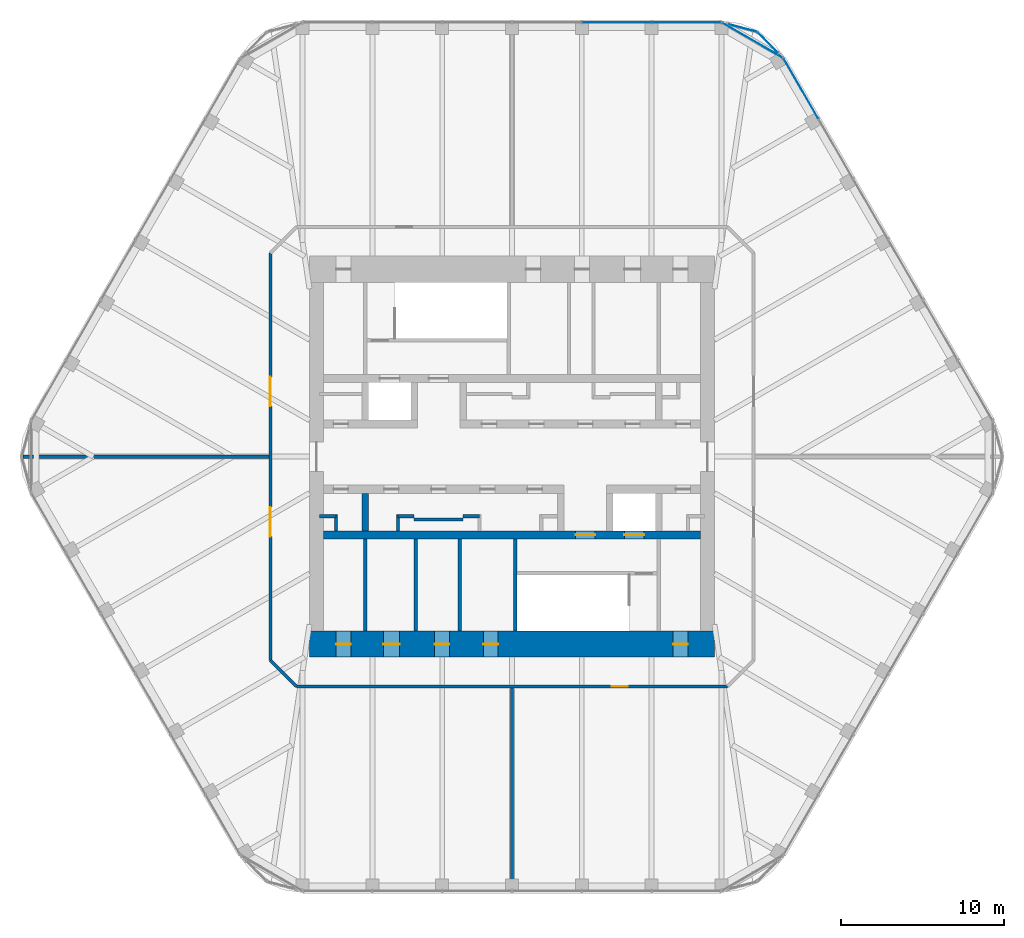
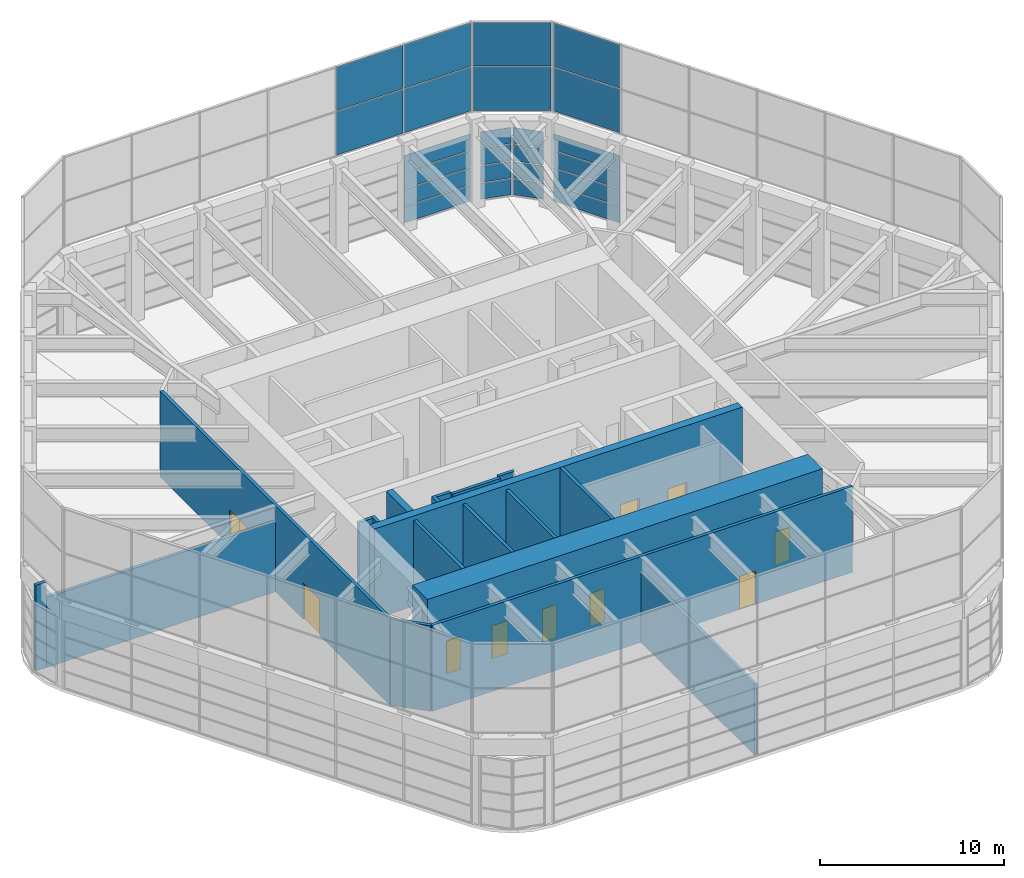
# One storey, part 14 of 17: 24 plates, 19 walls, 10 doors, 10 openings, 7 elements without a shape of their own.
"""IFC4 building model written with IfcOpenShell, lengths in metres."""

from ifc_helpers import new_model, si_unit, direction, frame, frame_2d, origin, origin_2d, place, context, subcontext, project, spatial, rectangle, extrude, material, layer, layer_set, type_object, element, fill, aggregate, save


model = new_model("IFC4")

# Units and contexts
model_context = context("Model", 3, precision=1e-05, world=origin(), true_north=direction((0.0, 1.0)))
body_context = subcontext(model_context, "Body", "Model", "MODEL_VIEW")
ifc_project = project(units=[si_unit("LENGTHUNIT", "METRE"), si_unit("AREAUNIT", "SQUARE_METRE"), si_unit("VOLUMEUNIT", "CUBIC_METRE"), si_unit("PLANEANGLEUNIT", "RADIAN"), si_unit("MASSUNIT", "GRAM", prefix="KILO")], contexts=[model_context])

# Site, building, storey
site_placement = place(None, origin())
site = spatial("IfcSite", under=ifc_project, at=site_placement, CompositionType="ELEMENT")
building_placement = place(site_placement, origin())
building = spatial("IfcBuilding", under=site, at=building_placement, Name="Tarfa Lantern Tower", CompositionType="ELEMENT")
storey_placement = place(building_placement, frame((0.0, 0.0, 402.300048828125)))
storey = spatial("IfcBuildingStorey", under=building, at=storey_placement, Name="L91", CompositionType="ELEMENT", Elevation=402.300048828125)

# Curtain wall, plates
ifc_material_1 = material(Name="Aluminium framed curtain wall", Category="aluminium")
curtain_wall_type_1 = type_object("IfcCurtainWallType", Name="CW8 LANTERN GLAZING 4600", PredefinedType="USERDEFINED", material=ifc_material_1)
curtain_wall_1_placement = place(storey_placement, origin())
curtain_wall_1 = element("IfcCurtainWall", 1, at=curtain_wall_1_placement, inside=storey, type_object=curtain_wall_type_1, Name="CW8 NEN1 L91", ObjectType="CURTAIN WALL", PredefinedType="USERDEFINED")
ifc_material_2 = material(Name="Laminated double glazing", Category="glass")
ifc_layer_1 = layer(ifc_material_2, 0.028076171875)
ifc_layer_set_1 = layer_set([ifc_layer_1], Name="CWP1 DOUBLE GLAZED PANEL")
plate_type = type_object("IfcPlateType", Name="CWP1 DOUBLE GLAZED PANEL", PredefinedType="CURTAIN_PANEL", material=ifc_layer_set_1)
plate_1_placement = place(storey_placement, frame((15.6953125, 25.4111328125, 0.06494140625), z_axis=(0.0, 0.0, 1.0), x_axis=(-0.707106781187, 0.707106781187, 0.0)))
plate_1 = element("IfcPlate", 2, at=plate_1_placement, type_object=plate_type, Name="CW8 panel 1.1", PredefinedType="CURTAIN_PANEL", context=body_context, shape_type="SweptSolid", body=[
    extrude(rectangle(XDim=1.706787109375, YDim=0.028076171875, at=origin_2d()), origin(), (0.0, 0.0, 1.0), 1.052490234375),
])
plate_2_placement = place(storey_placement, frame((15.6953125, 25.4111328125, 1.182373046875), z_axis=(0.0, 0.0, 1.0), x_axis=(-0.707106781187, 0.707106781187, 0.0)))
plate_2 = element("IfcPlate", 3, at=plate_2_placement, type_object=plate_type, Name="CW8 panel 1.2", PredefinedType="CURTAIN_PANEL", context=body_context, shape_type="SweptSolid", body=[
    extrude(rectangle(XDim=1.706787109375, YDim=0.028076171875, at=origin_2d()), origin(), (0.0, 0.0, 1.0), 1.0849609375),
])
plate_3_placement = place(storey_placement, frame((15.6953125, 25.4111328125, 2.33251953125), z_axis=(0.0, 0.0, 1.0), x_axis=(-0.707106781187, 0.707106781187, 0.0)))
plate_3 = element("IfcPlate", 4, at=plate_3_placement, type_object=plate_type, Name="CW8 panel 1.3", PredefinedType="CURTAIN_PANEL", context=body_context, shape_type="SweptSolid", body=[
    extrude(rectangle(XDim=1.706787109375, YDim=0.028076171875, at=origin_2d()), origin(), (0.0, 0.0, 1.0), 1.0849609375),
])
plate_4_placement = place(storey_placement, frame((15.6953125, 25.4111328125, 3.482421875), z_axis=(0.0, 0.0, 1.0), x_axis=(-0.707106781187, 0.707106781187, 0.0)))
plate_4 = element("IfcPlate", 5, at=plate_4_placement, type_object=plate_type, Name="CW8 panel 1.4", PredefinedType="CURTAIN_PANEL", context=body_context, shape_type="SweptSolid", body=[
    extrude(rectangle(XDim=1.706787109375, YDim=0.028076171875, at=origin_2d()), origin(), (0.0, 0.0, 1.0), 1.052490234375),
])
aggregate(curtain_wall_1, [plate_1, plate_2, plate_3, plate_4])

curtain_wall_2_placement = place(storey_placement, origin())
curtain_wall_2 = element("IfcCurtainWall", 6, at=curtain_wall_2_placement, inside=storey, type_object=curtain_wall_type_1, Name="CW8 NEN2 L91", ObjectType="CURTAIN WALL", PredefinedType="USERDEFINED")
plate_5_placement = place(storey_placement, frame((14.158935546875, 26.298095703125, 0.06494140625), z_axis=(0.0, 0.0, 1.0), x_axis=(-0.965925850804, 0.258818953611, 0.0)))
plate_5 = element("IfcPlate", 7, at=plate_5_placement, type_object=plate_type, Name="CW8 panel 1.1", PredefinedType="CURTAIN_PANEL", context=body_context, shape_type="SweptSolid", body=[
    extrude(rectangle(XDim=1.706787109375, YDim=0.028076171875, at=origin_2d()), origin(), (0.0, 0.0, 1.0), 1.052490234375),
])
plate_6_placement = place(storey_placement, frame((14.158935546875, 26.298095703125, 1.182373046875), z_axis=(0.0, 0.0, 1.0), x_axis=(-0.965925850804, 0.258818953611, 0.0)))
plate_6 = element("IfcPlate", 8, at=plate_6_placement, type_object=plate_type, Name="CW8 panel 1.2", PredefinedType="CURTAIN_PANEL", context=body_context, shape_type="SweptSolid", body=[
    extrude(rectangle(XDim=1.706787109375, YDim=0.028076171875, at=origin_2d()), origin(), (0.0, 0.0, 1.0), 1.0849609375),
])
plate_7_placement = place(storey_placement, frame((14.158935546875, 26.298095703125, 2.33251953125), z_axis=(0.0, 0.0, 1.0), x_axis=(-0.965925850804, 0.258818953611, 0.0)))
plate_7 = element("IfcPlate", 9, at=plate_7_placement, type_object=plate_type, Name="CW8 panel 1.3", PredefinedType="CURTAIN_PANEL", context=body_context, shape_type="SweptSolid", body=[
    extrude(rectangle(XDim=1.706787109375, YDim=0.028076171875, at=origin_2d()), origin(), (0.0, 0.0, 1.0), 1.0849609375),
])
plate_8_placement = place(storey_placement, frame((14.158935546875, 26.298095703125, 3.482421875), z_axis=(0.0, 0.0, 1.0), x_axis=(-0.965925850804, 0.258818953611, 0.0)))
plate_8 = element("IfcPlate", 10, at=plate_8_placement, type_object=plate_type, Name="CW8 panel 1.4", PredefinedType="CURTAIN_PANEL", context=body_context, shape_type="SweptSolid", body=[
    extrude(rectangle(XDim=1.706787109375, YDim=0.028076171875, at=origin_2d()), origin(), (0.0, 0.0, 1.0), 1.052490234375),
])
aggregate(curtain_wall_2, [plate_5, plate_6, plate_7, plate_8])

curtain_wall_3_placement = place(storey_placement, origin())
curtain_wall_3 = element("IfcCurtainWall", 11, at=curtain_wall_3_placement, inside=storey, type_object=curtain_wall_type_1, Name="CW8 NE L91", ObjectType="CURTAIN WALL", PredefinedType="USERDEFINED")
plate_9_placement = place(storey_placement, frame((17.735107421875, 22.581787109375, 0.06494140625), z_axis=(0.0, 0.0, 1.0), x_axis=(-0.5, 0.866025403784, 0.0)))
plate_9 = element("IfcPlate", 12, at=plate_9_placement, type_object=plate_type, Name="CW8 panel 6.1", PredefinedType="CURTAIN_PANEL", context=body_context, shape_type="SweptSolid", body=[
    extrude(rectangle(XDim=4.1845703125, YDim=0.028076171875, at=origin_2d()), origin(), (0.0, 0.0, 1.0), 1.052490234375),
])
plate_10_placement = place(storey_placement, frame((17.735107421875, 22.581787109375, 1.182373046875), z_axis=(0.0, 0.0, 1.0), x_axis=(-0.5, 0.866025403784, 0.0)))
plate_10 = element("IfcPlate", 13, at=plate_10_placement, type_object=plate_type, Name="CW8 panel 6.2", PredefinedType="CURTAIN_PANEL", context=body_context, shape_type="SweptSolid", body=[
    extrude(rectangle(XDim=4.1845703125, YDim=0.028076171875, at=origin_2d()), origin(), (0.0, 0.0, 1.0), 1.0849609375),
])
plate_11_placement = place(storey_placement, frame((17.735107421875, 22.581787109375, 2.33251953125), z_axis=(0.0, 0.0, 1.0), x_axis=(-0.5, 0.866025403784, 0.0)))
plate_11 = element("IfcPlate", 14, at=plate_11_placement, type_object=plate_type, Name="CW8 panel 6.3", PredefinedType="CURTAIN_PANEL", context=body_context, shape_type="SweptSolid", body=[
    extrude(rectangle(XDim=4.1845703125, YDim=0.028076171875, at=origin_2d()), origin(), (0.0, 0.0, 1.0), 1.0849609375),
])
plate_12_placement = place(storey_placement, frame((17.735107421875, 22.581787109375, 3.482421875), z_axis=(0.0, 0.0, 1.0), x_axis=(-0.5, 0.866025403784, 0.0)))
plate_12 = element("IfcPlate", 15, at=plate_12_placement, type_object=plate_type, Name="CW8 panel 6.4", PredefinedType="CURTAIN_PANEL", context=body_context, shape_type="SweptSolid", body=[
    extrude(rectangle(XDim=4.1845703125, YDim=0.028076171875, at=origin_2d()), origin(), (0.0, 0.0, 1.0), 1.052490234375),
])
aggregate(curtain_wall_3, [plate_9, plate_10, plate_11, plate_12])

curtain_wall_4_placement = place(storey_placement, origin())
curtain_wall_4 = element("IfcCurtainWall", 16, at=curtain_wall_4_placement, inside=storey, type_object=curtain_wall_type_1, Name="CW8 N L91", ObjectType="CURTAIN WALL", PredefinedType="USERDEFINED")
plate_13_placement = place(storey_placement, frame((10.688720703125, 26.64990234375, 0.06494140625), z_axis=(0.0, 0.0, 1.0), x_axis=(-1.0, 0.0, 0.0)))
plate_13 = element("IfcPlate", 17, at=plate_13_placement, type_object=plate_type, Name="CW8 panel 1.1", PredefinedType="CURTAIN_PANEL", context=body_context, shape_type="SweptSolid", body=[
    extrude(rectangle(XDim=4.1845703125, YDim=0.028076171875, at=origin_2d()), origin(), (0.0, 0.0, 1.0), 1.052490234375),
])
plate_14_placement = place(storey_placement, frame((10.688720703125, 26.64990234375, 1.182373046875), z_axis=(0.0, 0.0, 1.0), x_axis=(-1.0, 0.0, 0.0)))
plate_14 = element("IfcPlate", 18, at=plate_14_placement, type_object=plate_type, Name="CW8 panel 1.2", PredefinedType="CURTAIN_PANEL", context=body_context, shape_type="SweptSolid", body=[
    extrude(rectangle(XDim=4.1845703125, YDim=0.028076171875, at=origin_2d()), origin(), (0.0, 0.0, 1.0), 1.0849609375),
])
plate_15_placement = place(storey_placement, frame((10.688720703125, 26.64990234375, 2.33251953125), z_axis=(0.0, 0.0, 1.0), x_axis=(-1.0, 0.0, 0.0)))
plate_15 = element("IfcPlate", 19, at=plate_15_placement, type_object=plate_type, Name="CW8 panel 1.3", PredefinedType="CURTAIN_PANEL", context=body_context, shape_type="SweptSolid", body=[
    extrude(rectangle(XDim=4.1845703125, YDim=0.028076171875, at=origin_2d()), origin(), (0.0, 0.0, 1.0), 1.0849609375),
])
plate_16_placement = place(storey_placement, frame((10.688720703125, 26.64990234375, 3.482421875), z_axis=(0.0, 0.0, 1.0), x_axis=(-1.0, 0.0, 0.0)))
plate_16 = element("IfcPlate", 20, at=plate_16_placement, type_object=plate_type, Name="CW8 panel 1.4", PredefinedType="CURTAIN_PANEL", context=body_context, shape_type="SweptSolid", body=[
    extrude(rectangle(XDim=4.1845703125, YDim=0.028076171875, at=origin_2d()), origin(), (0.0, 0.0, 1.0), 1.052490234375),
])
aggregate(curtain_wall_4, [plate_13, plate_14, plate_15, plate_16])

curtain_wall_type_2 = type_object("IfcCurtainWallType", Name="CW9 CROWN SCREEN GLAZING 6000", PredefinedType="USERDEFINED", material=ifc_material_1)
curtain_wall_5_placement = place(storey_placement, origin())
curtain_wall_5 = element("IfcCurtainWall", 21, at=curtain_wall_5_placement, inside=storey, type_object=curtain_wall_type_2, Name="CW9 NE L91", ObjectType="CURTAIN WALL", PredefinedType="USERDEFINED")
plate_17_placement = place(storey_placement, frame((17.735107421875, 22.581787109375, 6.06494140625), z_axis=(0.0, 0.0, 1.0), x_axis=(-0.5, 0.866025403784, 0.0)))
plate_17 = element("IfcPlate", 22, at=plate_17_placement, type_object=plate_type, Name="CW9 panel 6.1", PredefinedType="CURTAIN_PANEL", context=body_context, shape_type="SweptSolid", body=[
    extrude(rectangle(XDim=4.1845703125, YDim=0.028076171875, at=origin_2d()), origin(), (0.0, 0.0, 1.0), 2.902587890625),
])
plate_18_placement = place(storey_placement, frame((17.735107421875, 22.581787109375, 9.0322265625), z_axis=(0.0, 0.0, 1.0), x_axis=(-0.5, 0.866025403784, 0.0)))
plate_18 = element("IfcPlate", 23, at=plate_18_placement, type_object=plate_type, Name="CW9 panel 6.2", PredefinedType="CURTAIN_PANEL", context=body_context, shape_type="SweptSolid", body=[
    extrude(rectangle(XDim=4.1845703125, YDim=0.028076171875, at=origin_2d()), origin(), (0.0, 0.0, 1.0), 2.902587890625),
])
aggregate(curtain_wall_5, [plate_17, plate_18])

curtain_wall_6_placement = place(storey_placement, origin())
curtain_wall_6 = element("IfcCurtainWall", 24, at=curtain_wall_6_placement, inside=storey, type_object=curtain_wall_type_2, Name="CW9 N L91", ObjectType="CURTAIN WALL", PredefinedType="USERDEFINED")
plate_19_placement = place(storey_placement, frame((10.688720703125, 26.64990234375, 6.06494140625), z_axis=(0.0, 0.0, 1.0), x_axis=(-1.0, 0.0, 0.0)))
plate_19 = element("IfcPlate", 25, at=plate_19_placement, type_object=plate_type, Name="CW9 panel 1.1", PredefinedType="CURTAIN_PANEL", context=body_context, shape_type="SweptSolid", body=[
    extrude(rectangle(XDim=4.1845703125, YDim=0.028076171875, at=origin_2d()), origin(), (0.0, 0.0, 1.0), 2.902587890625),
])
plate_20_placement = place(storey_placement, frame((10.688720703125, 26.64990234375, 9.0322265625), z_axis=(0.0, 0.0, 1.0), x_axis=(-1.0, 0.0, 0.0)))
plate_20 = element("IfcPlate", 26, at=plate_20_placement, type_object=plate_type, Name="CW9 panel 1.2", PredefinedType="CURTAIN_PANEL", context=body_context, shape_type="SweptSolid", body=[
    extrude(rectangle(XDim=4.1845703125, YDim=0.028076171875, at=origin_2d()), origin(), (0.0, 0.0, 1.0), 2.902587890625),
])
plate_21_placement = place(storey_placement, frame((6.423095703125, 26.64990234375, 6.06494140625), z_axis=(0.0, 0.0, 1.0), x_axis=(-1.0, 0.0, 0.0)))
plate_21 = element("IfcPlate", 27, at=plate_21_placement, type_object=plate_type, Name="CW9 panel 2.1", PredefinedType="CURTAIN_PANEL", context=body_context, shape_type="SweptSolid", body=[
    extrude(rectangle(XDim=4.217041015625, YDim=0.028076171875, at=origin_2d()), origin(), (0.0, 0.0, 1.0), 2.902587890625),
])
plate_22_placement = place(storey_placement, frame((6.423095703125, 26.64990234375, 9.0322265625), z_axis=(0.0, 0.0, 1.0), x_axis=(-1.0, 0.0, 0.0)))
plate_22 = element("IfcPlate", 28, at=plate_22_placement, type_object=plate_type, Name="CW9 panel 2.2", PredefinedType="CURTAIN_PANEL", context=body_context, shape_type="SweptSolid", body=[
    extrude(rectangle(XDim=4.217041015625, YDim=0.028076171875, at=origin_2d()), origin(), (0.0, 0.0, 1.0), 2.902587890625),
])
aggregate(curtain_wall_6, [plate_19, plate_20, plate_21, plate_22])

curtain_wall_7_placement = place(storey_placement, origin())
curtain_wall_7 = element("IfcCurtainWall", 29, at=curtain_wall_7_placement, inside=storey, type_object=curtain_wall_type_2, Name="CW9 NEN L91", ObjectType="CURTAIN WALL", PredefinedType="USERDEFINED")
plate_23_placement = place(storey_placement, frame((14.751220703125, 25.550048828125, 6.06494140625), z_axis=(0.0, 0.0, 1.0), x_axis=(-0.866025403784, 0.5, 0.0)))
plate_23 = element("IfcPlate", 30, at=plate_23_placement, type_object=plate_type, Name="CW9 panel 1.1", PredefinedType="CURTAIN_PANEL", context=body_context, shape_type="SweptSolid", body=[
    extrude(rectangle(XDim=4.27001953125, YDim=0.028076171875, at=origin_2d()), origin(), (0.0, 0.0, 1.0), 2.902587890625),
])
plate_24_placement = place(storey_placement, frame((14.751220703125, 25.550048828125, 9.0322265625), z_axis=(0.0, 0.0, 1.0), x_axis=(-0.866025403784, 0.5, 0.0)))
plate_24 = element("IfcPlate", 31, at=plate_24_placement, type_object=plate_type, Name="CW9 panel 1.2", PredefinedType="CURTAIN_PANEL", context=body_context, shape_type="SweptSolid", body=[
    extrude(rectangle(XDim=4.27001953125, YDim=0.028076171875, at=origin_2d()), origin(), (0.0, 0.0, 1.0), 2.902587890625),
])
aggregate(curtain_wall_7, [plate_23, plate_24])

# Walls
ifc_material_3 = material(Name="Concrete blockwork", Category="masonry")
ifc_layer_2 = layer(ifc_material_3, 0.199951171875)
ifc_layer_set_2 = layer_set([ifc_layer_2], Name="IW1 BLOCKWORK PARTITION 200 EI 120")
wall_type_1 = type_object("IfcWallType", Name="IW1 BLOCKWORK PARTITION 200 EI 120", PredefinedType="PARTITIONING", material=ifc_layer_set_2)
for number, where, z_axis, x_axis, name in (
    (32, (-9.0, -5.050048828125, 0.0), (0.0, 0.0, 1.0), (0.0, -1.0, 0.0), "Core partition"),
    (33, (-3.199951171875, -5.050048828125, 0.0), (0.0, 0.0, 1.0), (0.0, -1.0, 0.0), "Core partition"),
    (34, (-5.89990234375, -5.050048828125, 0.0), (0.0, 0.0, 1.0), (0.0, -1.0, 0.0), "Core partition"),
):
    element("IfcWall", number, at=place(storey_placement, frame(where, z_axis=z_axis, x_axis=x_axis)), inside=storey, type_object=wall_type_1, Name=name, PredefinedType="PARTITIONING", context=body_context, shape_type="SweptSolid", body=[
        extrude(rectangle(XDim=5.64990234375, YDim=0.199951171875, at=frame_2d((2.824951171875, 0.0))), origin(), (0.0, 0.0, 1.0), 5.699951171875),
    ])
wall_1_placement = place(storey_placement, frame((-2.0, -3.64990234375, 0.0), z_axis=(0.0, 0.0, 1.0), x_axis=(-1.0, 0.0, 0.0)))
element("IfcWall", 35, at=wall_1_placement, inside=storey, type_object=wall_type_1, Name="Core partition", PredefinedType="PARTITIONING", context=body_context, shape_type="SweptSolid", body=[
    extrude(rectangle(XDim=1.0, YDim=0.199951171875, at=frame_2d((0.5, 0.0))), origin(), (0.0, 0.0, 1.0), 5.699951171875),
])
wall_2_placement = place(storey_placement, frame((-3.0, -3.85009765625, 0.0), z_axis=(0.0, 0.0, 1.0), x_axis=(-1.0, 0.0, 0.0)))
element("IfcWall", 36, at=wall_2_placement, inside=storey, type_object=wall_type_1, Name="Core partition", PredefinedType="PARTITIONING", context=body_context, shape_type="SweptSolid", body=[
    extrude(rectangle(XDim=3.0, YDim=0.199951171875, at=frame_2d((1.5, 0.0))), origin(), (0.0, 0.0, 1.0), 5.699951171875),
])
for number, where, z_axis, x_axis, name in (
    (37, (-6.0, -3.64990234375, 0.0), (0.0, 0.0, 1.0), (-1.0, 0.0, 0.0), "Core partition"),
    (38, (-7.0, -3.550048828125, 0.0), (0.0, 0.0, 1.0), (0.0, -1.0, 0.0), "Core partition"),
    (39, (-10.800048828125, -3.64990234375, 0.0), (0.0, 0.0, 1.0), (-1.0, 0.0, 0.0), "Core partition"),
    (40, (-10.800048828125, -3.550048828125, 0.0), (0.0, 0.0, 1.0), (0.0, -1.0, 0.0), "Core partition"),
):
    element("IfcWall", number, at=place(storey_placement, frame(where, z_axis=z_axis, x_axis=x_axis)), inside=storey, type_object=wall_type_1, Name=name, PredefinedType="PARTITIONING", context=body_context, shape_type="SweptSolid", body=[
        extrude(rectangle(XDim=1.0, YDim=0.199951171875, at=frame_2d((0.5, 0.0))), origin(), (0.0, 0.0, 1.0), 5.699951171875),
    ])

# Wall, opening, door
wall_3_placement = place(storey_placement, frame((13.22509765625, -14.10009765625, 0.0), z_axis=(0.0, 0.0, 1.0), x_axis=(-1.0, 0.0, 0.0)))
wall_3 = element("IfcWall", 41, at=wall_3_placement, inside=storey, type_object=wall_type_1, Name="Fire-rated partition", PredefinedType="PARTITIONING", context=body_context, shape_type="SweptSolid", body=[
    extrude(rectangle(XDim=26.4501953125, YDim=0.199951171875, at=frame_2d((13.22509765625, 0.0))), origin(), (0.0, 0.0, 1.0), 5.699951171875),
])
opening_1_placement = place(wall_3_placement, frame((6.112548828125, 0.0, 0.0)))
opening_1 = element("IfcOpeningElement", 42, at=opening_1_placement, cuts=wall_3, Name="Opening D34", PredefinedType="OPENING", context=body_context, shape_type="SweptSolid", body=[
    extrude(rectangle(XDim=1.0, YDim=2.199951171875, at=frame_2d((0.5, 1.10009765625))), frame((0.0, 0.10986328125, 0.0), z_axis=(0.0, -1.0, 0.0), x_axis=(1.0, 0.0, 0.0)), (0.0, 0.0, 1.0), 0.219970703125),
])
ifc_material_4 = material(Name="Timber door", Category="wood")
door_type_1 = type_object("IfcDoorType", Name="DR1 ROOM DOOR 1000x2200", OperationType="SINGLE_SWING_LEFT", PredefinedType="DOOR", material=ifc_material_4)
door_1_placement = place(opening_1_placement, origin())
door_1 = element("IfcDoor", 43, at=door_1_placement, inside=storey, type_object=door_type_1, Name="Corridor door", OperationType="SINGLE_SWING_RIGHT", OverallHeight=2.199951171875, OverallWidth=1.0, PredefinedType="DOOR", context=body_context, shape_type="SweptSolid", body=[
    extrude(rectangle(XDim=1.0, YDim=2.199951171875, at=frame_2d((0.5, 1.10009765625))), frame((0.0, 0.02490234375, 0.0), z_axis=(0.0, -1.0, 0.0), x_axis=(1.0, 0.0, 0.0)), (0.0, 0.0, 1.0), 0.050048828125),
])
fill(opening_1, door_1)

# Wall
wall_4_placement = place(storey_placement, frame((-13.22509765625, -14.10009765625, 0.0), z_axis=(0.0, 0.0, 1.0), x_axis=(-0.707052830339, 0.707160727918, 0.0)))
element("IfcWall", 44, at=wall_4_placement, inside=storey, type_object=wall_type_1, Name="Fire-rated partition", PredefinedType="PARTITIONING", context=body_context, shape_type="SweptSolid", body=[
    extrude(rectangle(XDim=2.2626953125, YDim=0.199951171875, at=frame_2d((1.13134765625, 0.0))), origin(), (0.0, 0.0, 1.0), 5.699951171875),
])

# Wall, openings, doors
wall_5_placement = place(storey_placement, frame((-14.824951171875, -12.5, 0.0), z_axis=(0.0, 0.0, 1.0), x_axis=(0.0, 1.0, 0.0)))
wall_5 = element("IfcWall", 45, at=wall_5_placement, inside=storey, type_object=wall_type_1, Name="Fire-rated partition", PredefinedType="PARTITIONING", context=body_context, shape_type="SweptSolid", body=[
    extrude(rectangle(XDim=25.0, YDim=0.199951171875, at=frame_2d((12.5, 0.0))), origin(), (0.0, 0.0, 1.0), 5.699951171875),
])
opening_2_placement = place(wall_5_placement, frame((15.60009765625, 0.0, 0.0)))
opening_2 = element("IfcOpeningElement", 46, at=opening_2_placement, cuts=wall_5, Name="Opening D30", PredefinedType="OPENING", context=body_context, shape_type="SweptSolid", body=[
    extrude(rectangle(XDim=1.800048828125, YDim=2.39990234375, at=frame_2d((0.89990234375, 1.199951171875))), frame((0.0, 0.10986328125, 0.0), z_axis=(0.0, -1.0, 0.0), x_axis=(1.0, 0.0, 0.0)), (0.0, 0.0, 1.0), 0.219970703125),
])
opening_3_placement = place(wall_5_placement, frame((7.60009765625, 0.0, 0.0)))
opening_3 = element("IfcOpeningElement", 47, at=opening_3_placement, cuts=wall_5, Name="Opening D32", PredefinedType="OPENING", context=body_context, shape_type="SweptSolid", body=[
    extrude(rectangle(XDim=1.800048828125, YDim=2.39990234375, at=frame_2d((0.89990234375, 1.199951171875))), frame((0.0, 0.10986328125, 0.0), z_axis=(0.0, -1.0, 0.0), x_axis=(1.0, 0.0, 0.0)), (0.0, 0.0, 1.0), 0.219970703125),
])
ifc_material_5 = material(Name="Steel fire door", Category="steel")
door_type_2 = type_object("IfcDoorType", Name="DF7 FIRE DOOR 1800x2400", OperationType="DOUBLE_DOOR_SINGLE_SWING", PredefinedType="DOOR", material=ifc_material_5)
door_2_placement = place(opening_2_placement, origin())
door_2 = element("IfcDoor", 48, at=door_2_placement, inside=storey, type_object=door_type_2, Name="Smoke extract fan plant room door", OperationType="DOUBLE_DOOR_SINGLE_SWING", OverallHeight=2.39990234375, OverallWidth=1.800048828125, PredefinedType="DOOR", context=body_context, shape_type="SweptSolid", body=[
    extrude(rectangle(XDim=1.800048828125, YDim=2.39990234375, at=frame_2d((0.89990234375, 1.199951171875))), frame((0.0, 0.02490234375, 0.0), z_axis=(0.0, -1.0, 0.0), x_axis=(1.0, 0.0, 0.0)), (0.0, 0.0, 1.0), 0.050048828125),
])
fill(opening_2, door_2)
door_3_placement = place(opening_3_placement, origin())
door_3 = element("IfcDoor", 49, at=door_3_placement, inside=storey, type_object=door_type_2, Name="Electrical plant room door", OperationType="DOUBLE_DOOR_SINGLE_SWING", OverallHeight=2.39990234375, OverallWidth=1.800048828125, PredefinedType="DOOR", context=body_context, shape_type="SweptSolid", body=[
    extrude(rectangle(XDim=1.800048828125, YDim=2.39990234375, at=frame_2d((0.89990234375, 1.199951171875))), frame((0.0, 0.02490234375, 0.0), z_axis=(0.0, -1.0, 0.0), x_axis=(1.0, 0.0, 0.0)), (0.0, 0.0, 1.0), 0.050048828125),
])
fill(opening_3, door_3)

# Walls
wall_6_placement = place(storey_placement, frame((0.0, -14.199951171875, 0.0), z_axis=(0.0, 0.0, 1.0), x_axis=(0.0, -1.0, 0.0)))
element("IfcWall", 50, at=wall_6_placement, inside=storey, type_object=wall_type_1, Name="Fire-rated partition", PredefinedType="PARTITIONING", context=body_context, shape_type="SweptSolid", body=[
    extrude(rectangle(XDim=12.360107421875, YDim=0.199951171875, at=frame_2d((6.18017578125, 0.0))), origin(), (0.0, 0.0, 1.0), 4.69189453125),
])
wall_7_placement = place(storey_placement, frame((-14.925048828125, 0.0, 0.0), z_axis=(0.0, 0.0, 1.0), x_axis=(-1.0, 0.0, 0.0)))
element("IfcWall", 51, at=wall_7_placement, inside=storey, type_object=wall_type_1, Name="Fire-rated partition", PredefinedType="PARTITIONING", context=body_context, shape_type="SweptSolid", body=[
    extrude(rectangle(XDim=14.421630859375, YDim=0.199951171875, at=frame_2d((7.2109375, 0.0))), origin(), (0.0, 0.0, 1.0), 4.66357421875),
])
wall_8_placement = place(storey_placement, frame((-29.3466796875, 0.0, 0.0), z_axis=(0.0, 0.0, 1.0), x_axis=(-1.0, 0.0, 0.0)))
element("IfcWall", 52, at=wall_8_placement, inside=storey, type_object=wall_type_1, Name="Fire-rated partition", PredefinedType="PARTITIONING", context=body_context, shape_type="SweptSolid", body=[
    extrude(rectangle(XDim=0.65673828125, YDim=0.199951171875, at=frame_2d((0.328369140625, 0.0))), origin(), (0.0, 0.0, 1.0), 5.699951171875),
])
ifc_material_6 = material(Name="Concrete C80/95", Category="concrete")
ifc_layer_3 = layer(ifc_material_6, 0.199951171875)
ifc_layer_set_3 = layer_set([ifc_layer_3], Name="SW12 CORE WALL 200")
wall_type_2 = type_object("IfcWallType", Name="SW12 CORE WALL 200", PredefinedType="SHEAR", material=ifc_layer_set_3)
wall_9_placement = place(storey_placement, frame((0.199951171875, -5.050048828125, 0.0), z_axis=(0.0, 0.0, 1.0), x_axis=(0.0, -1.0, 0.0)))
element("IfcWall", 53, at=wall_9_placement, inside=storey, type_object=wall_type_2, Name="Core wall stair shaft S", PredefinedType="SHEAR", context=body_context, shape_type="SweptSolid", body=[
    extrude(rectangle(XDim=5.64990234375, YDim=0.199951171875, at=frame_2d((2.824951171875, 0.0))), origin(), (0.0, 0.0, 1.0), 6.0),
])

# Wall, openings, doors
ifc_layer_4 = layer(ifc_material_6, 0.5)
ifc_layer_set_4 = layer_set([ifc_layer_4], Name="SW5 CORE WALL 500")
wall_type_3 = type_object("IfcWallType", Name="SW5 CORE WALL 500", PredefinedType="SHEAR", material=ifc_layer_set_4)
wall_10_placement = place(storey_placement, frame((11.574951171875, -4.800048828125, 0.0), z_axis=(0.0, 0.0, 1.0), x_axis=(-1.0, 0.0, 0.0)))
wall_10 = element("IfcWall", 54, at=wall_10_placement, inside=storey, type_object=wall_type_3, Name="Core wall rear S", PredefinedType="SHEAR", context=body_context, shape_type="SweptSolid", body=[
    extrude(rectangle(XDim=23.14990234375, YDim=0.5, at=frame_2d((11.574951171875, 0.0))), origin(), (0.0, 0.0, 1.0), 6.0),
])
opening_4_placement = place(wall_10_placement, frame((6.47509765625, 0.0, 0.0)))
opening_4 = element("IfcOpeningElement", 55, at=opening_4_placement, cuts=wall_10, Name="Opening D06", PredefinedType="OPENING", context=body_context, shape_type="SweptSolid", body=[
    extrude(rectangle(XDim=1.199951171875, YDim=2.199951171875, at=frame_2d((0.60009765625, 1.10009765625))), frame((0.0, 0.260009765625, 0.0), z_axis=(0.0, -1.0, 0.0), x_axis=(1.0, 0.0, 0.0)), (0.0, 0.0, 1.0), 0.52001953125),
])
opening_5_placement = place(wall_10_placement, frame((3.47509765625, 0.0, 0.0)))
opening_5 = element("IfcOpeningElement", 56, at=opening_5_placement, cuts=wall_10, Name="Opening LD02", PredefinedType="OPENING", context=body_context, shape_type="SweptSolid", body=[
    extrude(rectangle(XDim=1.199951171875, YDim=2.199951171875, at=frame_2d((0.60009765625, 1.10009765625))), frame((0.0, 0.260009765625, 0.0), z_axis=(0.0, -1.0, 0.0), x_axis=(1.0, 0.0, 0.0)), (0.0, 0.0, 1.0), 0.52001953125),
])
door_type_3 = type_object("IfcDoorType", Name="DF1 FIREFIGHTING LOBBY DOOR 1200x2200", OperationType="SINGLE_SWING_LEFT", PredefinedType="DOOR", material=ifc_material_5)
door_4_placement = place(opening_4_placement, origin())
door_4 = element("IfcDoor", 57, at=door_4_placement, inside=storey, type_object=door_type_3, Name="Firefighting lobby door", OperationType="SINGLE_SWING_LEFT", OverallHeight=2.199951171875, OverallWidth=1.199951171875, PredefinedType="DOOR", context=body_context, shape_type="SweptSolid", body=[
    extrude(rectangle(XDim=1.199951171875, YDim=2.199951171875, at=frame_2d((0.60009765625, 1.10009765625))), frame((0.0, 0.02490234375, 0.0), z_axis=(0.0, -1.0, 0.0), x_axis=(1.0, 0.0, 0.0)), (0.0, 0.0, 1.0), 0.050048828125),
])
fill(opening_4, door_4)
ifc_material_7 = material(Name="Stainless steel lift door", Category="steel")
door_type_4 = type_object("IfcDoorType", Name="LD1 LIFT LANDING DOOR 1200x2200", OperationType="SLIDING_TO_LEFT", PredefinedType="DOOR", material=ifc_material_7)
door_5_placement = place(opening_5_placement, origin())
door_5 = element("IfcDoor", 58, at=door_5_placement, inside=storey, type_object=door_type_4, Name="Landing door FL2", OperationType="SLIDING_TO_LEFT", OverallHeight=2.199951171875, OverallWidth=1.199951171875, PredefinedType="DOOR", context=body_context, shape_type="SweptSolid", body=[
    extrude(rectangle(XDim=1.199951171875, YDim=2.199951171875, at=frame_2d((0.60009765625, 1.10009765625))), frame((0.0, 0.02490234375, 0.0), z_axis=(0.0, -1.0, 0.0), x_axis=(1.0, 0.0, 0.0)), (0.0, 0.0, 1.0), 0.050048828125),
])
fill(opening_5, door_5)

# Wall
ifc_layer_5 = layer(ifc_material_6, 0.39990234375)
ifc_layer_set_5 = layer_set([ifc_layer_5], Name="SW6 CORE WALL 400")
wall_type_4 = type_object("IfcWallType", Name="SW6 CORE WALL 400", PredefinedType="SHEAR", material=ifc_layer_set_5)
wall_11_placement = place(storey_placement, frame((-9.0, -2.25, 0.0), z_axis=(0.0, 0.0, 1.0), x_axis=(0.0, -1.0, 0.0)))
element("IfcWall", 59, at=wall_11_placement, inside=storey, type_object=wall_type_4, Name="Core wall divider S", PredefinedType="SHEAR", context=body_context, shape_type="SweptSolid", body=[
    extrude(rectangle(XDim=2.300048828125, YDim=0.39990234375, at=frame_2d((1.14990234375, 0.0))), origin(), (0.0, 0.0, 1.0), 6.0),
])

# Wall, openings, doors
ifc_layer_6 = layer(ifc_material_6, 1.60009765625)
ifc_layer_set_6 = layer_set([ifc_layer_6], Name="SW7 CORE WALL 1600")
wall_type_5 = type_object("IfcWallType", Name="SW7 CORE WALL 1600", PredefinedType="SHEAR", material=ifc_layer_set_6)
wall_12_placement = place(storey_placement, frame((12.425048828125, -11.5, 0.0), z_axis=(0.0, 0.0, 1.0), x_axis=(-1.0, 0.0, 0.0)))
wall_12 = element("IfcWall", 60, at=wall_12_placement, inside=storey, type_object=wall_type_5, Name="Core wall S", PredefinedType="SHEAR", context=body_context, shape_type="SweptSolid", body=[
    extrude(rectangle(XDim=24.85009765625, YDim=1.60009765625, at=frame_2d((12.425048828125, 0.0))), origin(), (0.0, 0.0, 1.0), 6.0),
])
opening_6_placement = place(wall_12_placement, frame((13.27490234375, 0.0, 0.0)))
opening_6 = element("IfcOpeningElement", 61, at=opening_6_placement, cuts=wall_12, Name="Opening D22", PredefinedType="OPENING", context=body_context, shape_type="SweptSolid", body=[
    extrude(rectangle(XDim=0.89990234375, YDim=2.199951171875, at=frame_2d((0.449951171875, 1.10009765625))), frame((0.0, 0.81005859375, 0.0), z_axis=(0.0, -1.0, 0.0), x_axis=(1.0, 0.0, 0.0)), (0.0, 0.0, 1.0), 1.6201171875),
])
opening_7_placement = place(wall_12_placement, frame((16.27490234375, 0.0, 0.0)))
opening_7 = element("IfcOpeningElement", 62, at=opening_7_placement, cuts=wall_12, Name="Opening D24", PredefinedType="OPENING", context=body_context, shape_type="SweptSolid", body=[
    extrude(rectangle(XDim=0.89990234375, YDim=2.199951171875, at=frame_2d((0.449951171875, 1.10009765625))), frame((0.0, 0.81005859375, 0.0), z_axis=(0.0, -1.0, 0.0), x_axis=(1.0, 0.0, 0.0)), (0.0, 0.0, 1.0), 1.6201171875),
])
opening_8_placement = place(wall_12_placement, frame((19.324951171875, 0.0, 0.0)))
opening_8 = element("IfcOpeningElement", 63, at=opening_8_placement, cuts=wall_12, Name="Opening D26", PredefinedType="OPENING", context=body_context, shape_type="SweptSolid", body=[
    extrude(rectangle(XDim=1.0, YDim=2.199951171875, at=frame_2d((0.5, 1.10009765625))), frame((0.0, 0.81005859375, 0.0), z_axis=(0.0, -1.0, 0.0), x_axis=(1.0, 0.0, 0.0)), (0.0, 0.0, 1.0), 1.6201171875),
])
opening_9_placement = place(wall_12_placement, frame((1.637451171875, 0.0, 0.0)))
opening_9 = element("IfcOpeningElement", 64, at=opening_9_placement, cuts=wall_12, Name="Opening D04", PredefinedType="OPENING", context=body_context, shape_type="SweptSolid", body=[
    extrude(rectangle(XDim=0.89990234375, YDim=2.199951171875, at=frame_2d((0.449951171875, 1.10009765625))), frame((0.0, 0.81005859375, 0.0), z_axis=(0.0, -1.0, 0.0), x_axis=(1.0, 0.0, 0.0)), (0.0, 0.0, 1.0), 1.6201171875),
])
opening_10_placement = place(wall_12_placement, frame((22.3125, 0.0, 0.0)))
opening_10 = element("IfcOpeningElement", 65, at=opening_10_placement, cuts=wall_12, Name="Opening D02", PredefinedType="OPENING", context=body_context, shape_type="SweptSolid", body=[
    extrude(rectangle(XDim=0.89990234375, YDim=2.199951171875, at=frame_2d((0.449951171875, 1.10009765625))), frame((0.0, 0.81005859375, 0.0), z_axis=(0.0, -1.0, 0.0), x_axis=(1.0, 0.0, 0.0)), (0.0, 0.0, 1.0), 1.6201171875),
])
door_type_5 = type_object("IfcDoorType", Name="DF3 CORE ROOM DOOR 900x2200", OperationType="SINGLE_SWING_LEFT", PredefinedType="DOOR", material=ifc_material_5)
door_6_placement = place(opening_6_placement, frame((0.89990234375, 0.0, 0.0), z_axis=(0.0, 0.0, 1.0), x_axis=(-1.0, 0.0, 0.0)))
door_6 = element("IfcDoor", 66, at=door_6_placement, inside=storey, type_object=door_type_5, Name="Core door", OperationType="SINGLE_SWING_LEFT", OverallHeight=2.199951171875, OverallWidth=0.89990234375, PredefinedType="DOOR", context=body_context, shape_type="SweptSolid", body=[
    extrude(rectangle(XDim=0.89990234375, YDim=2.199951171875, at=frame_2d((0.449951171875, 1.10009765625))), frame((0.0, 0.02490234375, 0.0), z_axis=(0.0, -1.0, 0.0), x_axis=(1.0, 0.0, 0.0)), (0.0, 0.0, 1.0), 0.050048828125),
])
fill(opening_6, door_6)
door_7_placement = place(opening_7_placement, frame((0.89990234375, 0.0, 0.0), z_axis=(0.0, 0.0, 1.0), x_axis=(-1.0, 0.0, 0.0)))
door_7 = element("IfcDoor", 67, at=door_7_placement, inside=storey, type_object=door_type_5, Name="Core door", OperationType="SINGLE_SWING_LEFT", OverallHeight=2.199951171875, OverallWidth=0.89990234375, PredefinedType="DOOR", context=body_context, shape_type="SweptSolid", body=[
    extrude(rectangle(XDim=0.89990234375, YDim=2.199951171875, at=frame_2d((0.449951171875, 1.10009765625))), frame((0.0, 0.02490234375, 0.0), z_axis=(0.0, -1.0, 0.0), x_axis=(1.0, 0.0, 0.0)), (0.0, 0.0, 1.0), 0.050048828125),
])
fill(opening_7, door_7)
door_type_6 = type_object("IfcDoorType", Name="DF4 CORE ROOM DOOR 1000x2200", OperationType="SINGLE_SWING_LEFT", PredefinedType="DOOR", material=ifc_material_5)
door_8_placement = place(opening_8_placement, frame((1.0, 0.0, 0.0), z_axis=(0.0, 0.0, 1.0), x_axis=(-1.0, 0.0, 0.0)))
door_8 = element("IfcDoor", 68, at=door_8_placement, inside=storey, type_object=door_type_6, Name="Core door", OperationType="SINGLE_SWING_LEFT", OverallHeight=2.199951171875, OverallWidth=1.0, PredefinedType="DOOR", context=body_context, shape_type="SweptSolid", body=[
    extrude(rectangle(XDim=1.0, YDim=2.199951171875, at=frame_2d((0.5, 1.10009765625))), frame((0.0, 0.02490234375, 0.0), z_axis=(0.0, -1.0, 0.0), x_axis=(1.0, 0.0, 0.0)), (0.0, 0.0, 1.0), 0.050048828125),
])
fill(opening_8, door_8)
door_type_7 = type_object("IfcDoorType", Name="DF5 RISER DOOR 900x2200", OperationType="SINGLE_SWING_LEFT", PredefinedType="DOOR", material=ifc_material_5)
door_9_placement = place(opening_9_placement, frame((0.89990234375, 0.0, 0.0), z_axis=(0.0, 0.0, 1.0), x_axis=(-1.0, 0.0, 0.0)))
door_9 = element("IfcDoor", 69, at=door_9_placement, inside=storey, type_object=door_type_7, Name="Riser door", OperationType="SINGLE_SWING_LEFT", OverallHeight=2.199951171875, OverallWidth=0.89990234375, PredefinedType="DOOR", context=body_context, shape_type="SweptSolid", body=[
    extrude(rectangle(XDim=0.89990234375, YDim=2.199951171875, at=frame_2d((0.449951171875, 1.10009765625))), frame((0.0, 0.02490234375, 0.0), z_axis=(0.0, -1.0, 0.0), x_axis=(1.0, 0.0, 0.0)), (0.0, 0.0, 1.0), 0.050048828125),
])
fill(opening_9, door_9)
door_10_placement = place(opening_10_placement, frame((0.89990234375, 0.0, 0.0), z_axis=(0.0, 0.0, 1.0), x_axis=(-1.0, 0.0, 0.0)))
door_10 = element("IfcDoor", 70, at=door_10_placement, inside=storey, type_object=door_type_7, Name="Riser door", OperationType="SINGLE_SWING_RIGHT", OverallHeight=2.199951171875, OverallWidth=0.89990234375, PredefinedType="DOOR", context=body_context, shape_type="SweptSolid", body=[
    extrude(rectangle(XDim=0.89990234375, YDim=2.199951171875, at=frame_2d((0.449951171875, 1.10009765625))), frame((0.0, 0.02490234375, 0.0), z_axis=(0.0, -1.0, 0.0), x_axis=(1.0, 0.0, 0.0)), (0.0, 0.0, 1.0), 0.050048828125),
])
fill(opening_10, door_10)

save(model, "model.ifc")
